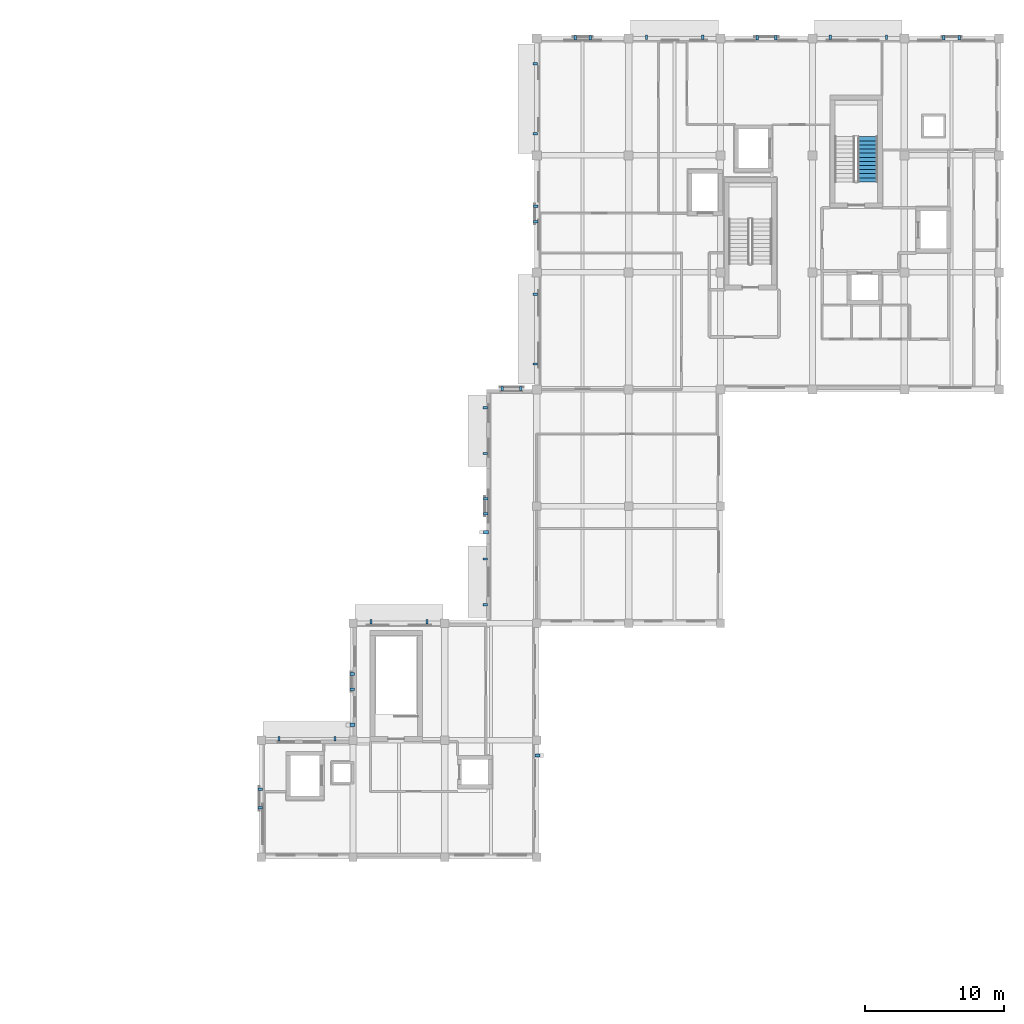
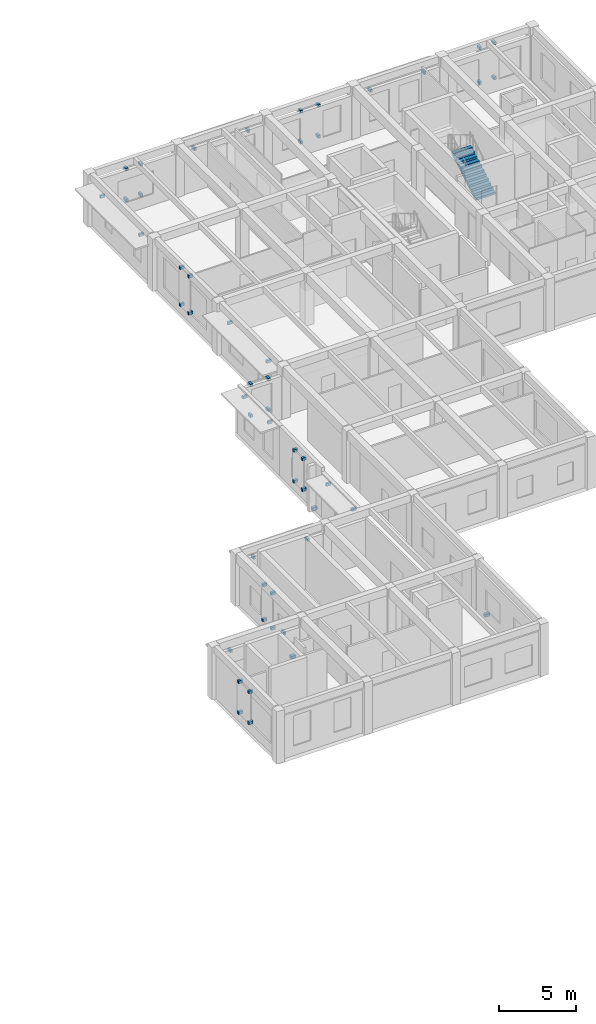
# One storey, part 11 of 14: 51 discrete accessories, 1 stair flight, 1 element without a shape of its own.
"""IFC4 building model written with IfcOpenShell, lengths in metres."""

from ifc_helpers import new_model, si_unit, direction, frame, origin, origin_2d, place, context, subcontext, project, spatial, polyline, rectangle, outline, extrude, material, type_object, element, aggregate, save


model = new_model("IFC4")

# Units and contexts
model_context = context("Model", 3, precision=1e-05, world=origin(), true_north=direction((0.0, 1.0)))
body_context = subcontext(model_context, "Body", "Model", "MODEL_VIEW")
ifc_project = project(units=[si_unit("LENGTHUNIT", "METRE"), si_unit("AREAUNIT", "SQUARE_METRE"), si_unit("VOLUMEUNIT", "CUBIC_METRE"), si_unit("PLANEANGLEUNIT", "RADIAN"), si_unit("MASSUNIT", "GRAM", prefix="KILO")], contexts=[model_context])

# Site, building, storey
site_placement = place(None, origin())
site = spatial("IfcSite", under=ifc_project, at=site_placement, CompositionType="ELEMENT")
building_placement = place(site_placement, origin())
building = spatial("IfcBuilding", under=site, at=building_placement, Name="Kolvaren Faculty of Natural Sciences", CompositionType="ELEMENT")
storey_placement = place(building_placement, frame((0.0, 0.0, 28.5)))
storey = spatial("IfcBuildingStorey", under=building, at=storey_placement, Name="L06", CompositionType="ELEMENT", Elevation=28.5)

# Stair, stair flight
ifc_material_1 = material(Name="Concrete C35/45", Category="concrete")
stair_type = type_object("IfcStairType", Name="DoglegStair_H4200", PredefinedType="HALF_TURN_STAIR", material=ifc_material_1)
stair_placement = place(storey_placement, origin())
stair = element("IfcStair", 1, at=stair_placement, inside=storey, type_object=stair_type, Name="L06 Protected exit stair ST-1", PredefinedType="HALF_TURN_STAIR")
stair_flight_type = type_object("IfcStairFlightType", Name="StairFlight_R1750", PredefinedType="STRAIGHT", material=ifc_material_1)
stair_flight_placement = place(storey_placement, frame((162.574951171875, 73.89990234375, 0.0), z_axis=(0.0, 0.0, 1.0), x_axis=(0.0, 1.0, 0.0)))
stair_flight = element("IfcStairFlight", 2, at=stair_flight_placement, type_object=stair_flight_type, Name="ST-1 flight 1", NumberOfRisers=12, NumberOfTreads=11, PredefinedType="STRAIGHT", RiserHeight=0.175, TreadLength=0.295, context=body_context, shape_type="SweptSolid", body=[
    extrude(outline(polyline([(0.0, 0.0), (0.0, 0.175048828125), (0.294921875, 0.175048828125), (0.294921875, 0.35009765625), (0.590087890625, 0.35009765625), (0.590087890625, 0.52490234375), (0.885009765625, 0.52490234375), (0.885009765625, 0.699951171875), (1.179931640625, 0.699951171875), (1.179931640625, 0.875), (1.47509765625, 0.875), (1.47509765625, 1.050048828125), (1.77001953125, 1.050048828125), (1.77001953125, 1.22509765625), (2.06494140625, 1.22509765625), (2.06494140625, 1.39990234375), (2.360107421875, 1.39990234375), (2.360107421875, 1.574951171875), (2.655029296875, 1.574951171875), (2.655029296875, 1.75), (2.949951171875, 1.75), (2.949951171875, 1.925048828125), (3.2451171875, 1.925048828125), (3.2451171875, 2.10009765625), (3.2451171875, 1.750732421875), (0.293701171875, 0.0), (0.0, 0.0)])), frame((0.0, 0.72509765625, 0.0), z_axis=(0.0, -1.0, 0.0), x_axis=(1.0, 0.0, 0.0)), (0.0, 0.0, 1.0), 1.449951171875),
])
aggregate(stair, [stair_flight])

# Discrete accessories
ifc_material_2 = material(Name="Structural steel EN 10025-2 S355J2", Category="steel")
discrete_accessory_type = type_object("IfcDiscreteAccessoryType", Name="FacadeSupportBracket_260", PredefinedType="BRACKET", material=ifc_material_2)
for number, where, z_axis, x_axis, name in (
    (3, (118.93994140625, 28.93505859375, 0.81982421875), (0.0, 0.0, 1.0), (0.0, 1.0, 0.0), "L06 jali screen wall bracket"),
    (4, (118.93994140625, 30.264892578125, 0.81982421875), (0.0, 0.0, 1.0), (0.0, 1.0, 0.0), "L06 jali screen wall bracket"),
    (5, (118.93994140625, 28.93505859375, 3.26025390625), (0.0, 0.0, 1.0), (0.0, 1.0, 0.0), "L06 jali screen wall bracket"),
    (6, (118.93994140625, 30.264892578125, 3.26025390625), (0.0, 0.0, 1.0), (0.0, 1.0, 0.0), "L06 jali screen wall bracket"),
):
    element("IfcDiscreteAccessory", number, at=place(storey_placement, frame(where, z_axis=z_axis, x_axis=x_axis)), inside=storey, type_object=discrete_accessory_type, Name=name, PredefinedType="BRACKET", context=body_context, shape_type="SweptSolid", body=[
        extrude(rectangle(XDim=0.179931640625, YDim=0.320068359375, at=origin_2d()), origin(), (0.0, 0.0, 1.0), 0.219970703125),
    ])
for number, where, z_axis, x_axis, name in (
    (7, (120.283935546875, 33.89990234375, 3.06494140625), (0.0, 0.0, 1.0), (1.0, 0.0, 0.0), "L06 chhajja hood steel bracket"),
    (8, (124.31591796875, 33.89990234375, 3.06494140625), (0.0, 0.0, 1.0), (1.0, 0.0, 0.0), "L06 chhajja hood steel bracket"),
):
    element("IfcDiscreteAccessory", number, at=place(storey_placement, frame(where, z_axis=z_axis, x_axis=x_axis)), inside=storey, type_object=discrete_accessory_type, Name=name, PredefinedType="BRACKET", context=body_context, shape_type="SweptSolid", body=[
        extrude(rectangle(XDim=0.159912109375, YDim=0.340087890625, at=origin_2d()), origin(), (0.0, 0.0, 1.0), 0.219970703125),
    ])
discrete_accessory_1_placement = place(storey_placement, frame((125.56005859375, 34.89990234375, 0.10986328125), z_axis=(0.0, 0.0, 1.0), x_axis=(0.0, 1.0, 0.0)))
element("IfcDiscreteAccessory", 9, at=discrete_accessory_1_placement, inside=storey, type_object=discrete_accessory_type, Name="L06 facade relief pier anchor bracket 19", PredefinedType="BRACKET", context=body_context, shape_type="SweptSolid", body=[
    extrude(rectangle(XDim=0.239990234375, YDim=0.360107421875, at=origin_2d()), origin(), (0.0, 0.0, 1.0), 0.219970703125),
])
for number, where, z_axis, x_axis, name in (
    (10, (125.5400390625, 37.448974609375, 0.81982421875), (0.0, 0.0, 1.0), (0.0, 1.0, 0.0), "L06 jali screen wall bracket"),
    (11, (125.5400390625, 38.551025390625, 0.81982421875), (0.0, 0.0, 1.0), (0.0, 1.0, 0.0), "L06 jali screen wall bracket"),
    (12, (125.5400390625, 37.448974609375, 3.59521484375), (0.0, 0.0, 1.0), (0.0, 1.0, 0.0), "L06 jali screen wall bracket"),
    (13, (125.5400390625, 38.551025390625, 3.59521484375), (0.0, 0.0, 1.0), (0.0, 1.0, 0.0), "L06 jali screen wall bracket"),
):
    element("IfcDiscreteAccessory", number, at=place(storey_placement, frame(where, z_axis=z_axis, x_axis=x_axis)), inside=storey, type_object=discrete_accessory_type, Name=name, PredefinedType="BRACKET", context=body_context, shape_type="SweptSolid", body=[
        extrude(rectangle(XDim=0.179931640625, YDim=0.320068359375, at=origin_2d()), origin(), (0.0, 0.0, 1.0), 0.219970703125),
    ])
for number, where, z_axis, x_axis, name in (
    (14, (126.884033203125, 42.300048828125, 3.06494140625), (0.0, 0.0, 1.0), (1.0, 0.0, 0.0), "L06 chhajja hood steel bracket"),
    (15, (130.916015625, 42.300048828125, 3.06494140625), (0.0, 0.0, 1.0), (1.0, 0.0, 0.0), "L06 chhajja hood steel bracket"),
    (16, (135.10009765625, 43.52392578125, 3.21484375), (0.0, 0.0, 1.0), (0.0, 1.0, 0.0), "L06 chhajja hood steel bracket"),
    (17, (135.10009765625, 46.809326171875, 3.21484375), (0.0, 0.0, 1.0), (0.0, 1.0, 0.0), "L06 chhajja hood steel bracket"),
):
    element("IfcDiscreteAccessory", number, at=place(storey_placement, frame(where, z_axis=z_axis, x_axis=x_axis)), inside=storey, type_object=discrete_accessory_type, Name=name, PredefinedType="BRACKET", context=body_context, shape_type="SweptSolid", body=[
        extrude(rectangle(XDim=0.159912109375, YDim=0.340087890625, at=origin_2d()), origin(), (0.0, 0.0, 1.0), 0.219970703125),
    ])
discrete_accessory_2_placement = place(storey_placement, frame((135.159912109375, 48.7333984375, 0.10986328125), z_axis=(0.0, 0.0, 1.0), x_axis=(0.0, 1.0, 0.0)))
element("IfcDiscreteAccessory", 18, at=discrete_accessory_2_placement, inside=storey, type_object=discrete_accessory_type, Name="L06 facade relief pier anchor bracket 20", PredefinedType="BRACKET", context=body_context, shape_type="SweptSolid", body=[
    extrude(rectangle(XDim=0.239990234375, YDim=0.360107421875, at=origin_2d()), origin(), (0.0, 0.0, 1.0), 0.219970703125),
])
for number, where, z_axis, x_axis, name in (
    (19, (135.139892578125, 50.049072265625, 0.81982421875), (0.0, 0.0, 1.0), (0.0, 1.0, 0.0), "L06 jali screen wall bracket"),
    (20, (135.139892578125, 51.15087890625, 0.81982421875), (0.0, 0.0, 1.0), (0.0, 1.0, 0.0), "L06 jali screen wall bracket"),
    (21, (135.139892578125, 50.049072265625, 3.26025390625), (0.0, 0.0, 1.0), (0.0, 1.0, 0.0), "L06 jali screen wall bracket"),
    (22, (135.139892578125, 51.15087890625, 3.26025390625), (0.0, 0.0, 1.0), (0.0, 1.0, 0.0), "L06 jali screen wall bracket"),
):
    element("IfcDiscreteAccessory", number, at=place(storey_placement, frame(where, z_axis=z_axis, x_axis=x_axis)), inside=storey, type_object=discrete_accessory_type, Name=name, PredefinedType="BRACKET", context=body_context, shape_type="SweptSolid", body=[
        extrude(rectangle(XDim=0.179931640625, YDim=0.320068359375, at=origin_2d()), origin(), (0.0, 0.0, 1.0), 0.219970703125),
    ])
for number, where, z_axis, x_axis, name in (
    (23, (135.10009765625, 54.390625, 3.5498046875), (0.0, 0.0, 1.0), (0.0, 1.0, 0.0), "L06 chhajja hood steel bracket"),
    (24, (135.10009765625, 57.676025390625, 3.5498046875), (0.0, 0.0, 1.0), (0.0, 1.0, 0.0), "L06 chhajja hood steel bracket"),
):
    element("IfcDiscreteAccessory", number, at=place(storey_placement, frame(where, z_axis=z_axis, x_axis=x_axis)), inside=storey, type_object=discrete_accessory_type, Name=name, PredefinedType="BRACKET", context=body_context, shape_type="SweptSolid", body=[
        extrude(rectangle(XDim=0.159912109375, YDim=0.340087890625, at=origin_2d()), origin(), (0.0, 0.0, 1.0), 0.219970703125),
    ])
for number, where, z_axis, x_axis, name in (
    (25, (136.3349609375, 59.06005859375, 0.81982421875), (0.0, 0.0, 1.0), (1.0, 0.0, 0.0), "L06 jali screen wall bracket"),
    (26, (137.6650390625, 59.06005859375, 0.81982421875), (0.0, 0.0, 1.0), (1.0, 0.0, 0.0), "L06 jali screen wall bracket"),
    (27, (136.3349609375, 59.06005859375, 3.26025390625), (0.0, 0.0, 1.0), (1.0, 0.0, 0.0), "L06 jali screen wall bracket"),
    (28, (137.6650390625, 59.06005859375, 3.26025390625), (0.0, 0.0, 1.0), (1.0, 0.0, 0.0), "L06 jali screen wall bracket"),
):
    element("IfcDiscreteAccessory", number, at=place(storey_placement, frame(where, z_axis=z_axis, x_axis=x_axis)), inside=storey, type_object=discrete_accessory_type, Name=name, PredefinedType="BRACKET", context=body_context, shape_type="SweptSolid", body=[
        extrude(rectangle(XDim=0.179931640625, YDim=0.320068359375, at=origin_2d()), origin(), (0.0, 0.0, 1.0), 0.219970703125),
    ])
for number, where, z_axis, x_axis, name in (
    (29, (138.699951171875, 60.81298828125, 3.21484375), (0.0, 0.0, 1.0), (0.0, 1.0, 0.0), "L06 chhajja hood steel bracket"),
    (30, (138.699951171875, 65.8369140625, 3.21484375), (0.0, 0.0, 1.0), (0.0, 1.0, 0.0), "L06 chhajja hood steel bracket"),
):
    element("IfcDiscreteAccessory", number, at=place(storey_placement, frame(where, z_axis=z_axis, x_axis=x_axis)), inside=storey, type_object=discrete_accessory_type, Name=name, PredefinedType="BRACKET", context=body_context, shape_type="SweptSolid", body=[
        extrude(rectangle(XDim=0.159912109375, YDim=0.340087890625, at=origin_2d()), origin(), (0.0, 0.0, 1.0), 0.219970703125),
    ])
for number, where, z_axis, x_axis, name in (
    (31, (138.739990234375, 71.049072265625, 0.81982421875), (0.0, 0.0, 1.0), (0.0, 1.0, 0.0), "L06 jali screen wall bracket"),
    (32, (138.739990234375, 72.15087890625, 0.81982421875), (0.0, 0.0, 1.0), (0.0, 1.0, 0.0), "L06 jali screen wall bracket"),
    (33, (138.739990234375, 71.049072265625, 3.7451171875), (0.0, 0.0, 1.0), (0.0, 1.0, 0.0), "L06 jali screen wall bracket"),
    (34, (138.739990234375, 72.15087890625, 3.7451171875), (0.0, 0.0, 1.0), (0.0, 1.0, 0.0), "L06 jali screen wall bracket"),
):
    element("IfcDiscreteAccessory", number, at=place(storey_placement, frame(where, z_axis=z_axis, x_axis=x_axis)), inside=storey, type_object=discrete_accessory_type, Name=name, PredefinedType="BRACKET", context=body_context, shape_type="SweptSolid", body=[
        extrude(rectangle(XDim=0.179931640625, YDim=0.320068359375, at=origin_2d()), origin(), (0.0, 0.0, 1.0), 0.219970703125),
    ])
for number, where, z_axis, x_axis, name in (
    (35, (138.699951171875, 77.363037109375, 3.21484375), (0.0, 0.0, 1.0), (0.0, 1.0, 0.0), "L06 chhajja hood steel bracket"),
    (36, (138.699951171875, 82.386962890625, 3.21484375), (0.0, 0.0, 1.0), (0.0, 1.0, 0.0), "L06 chhajja hood steel bracket"),
):
    element("IfcDiscreteAccessory", number, at=place(storey_placement, frame(where, z_axis=z_axis, x_axis=x_axis)), inside=storey, type_object=discrete_accessory_type, Name=name, PredefinedType="BRACKET", context=body_context, shape_type="SweptSolid", body=[
        extrude(rectangle(XDim=0.159912109375, YDim=0.340087890625, at=origin_2d()), origin(), (0.0, 0.0, 1.0), 0.219970703125),
    ])
for number, where, z_axis, x_axis, name in (
    (37, (141.549072265625, 84.260009765625, 0.81982421875), (0.0, 0.0, 1.0), (1.0, 0.0, 0.0), "L06 jali screen wall bracket"),
    (38, (142.65087890625, 84.260009765625, 0.81982421875), (0.0, 0.0, 1.0), (1.0, 0.0, 0.0), "L06 jali screen wall bracket"),
    (39, (141.549072265625, 84.260009765625, 3.26025390625), (0.0, 0.0, 1.0), (1.0, 0.0, 0.0), "L06 jali screen wall bracket"),
    (40, (142.65087890625, 84.260009765625, 3.26025390625), (0.0, 0.0, 1.0), (1.0, 0.0, 0.0), "L06 jali screen wall bracket"),
):
    element("IfcDiscreteAccessory", number, at=place(storey_placement, frame(where, z_axis=z_axis, x_axis=x_axis)), inside=storey, type_object=discrete_accessory_type, Name=name, PredefinedType="BRACKET", context=body_context, shape_type="SweptSolid", body=[
        extrude(rectangle(XDim=0.179931640625, YDim=0.320068359375, at=origin_2d()), origin(), (0.0, 0.0, 1.0), 0.219970703125),
    ])
for number, where, z_axis, x_axis, name in (
    (41, (146.68408203125, 84.300048828125, 3.06494140625), (0.0, 0.0, 1.0), (1.0, 0.0, 0.0), "L06 chhajja hood steel bracket"),
    (42, (150.716064453125, 84.300048828125, 3.06494140625), (0.0, 0.0, 1.0), (1.0, 0.0, 0.0), "L06 chhajja hood steel bracket"),
):
    element("IfcDiscreteAccessory", number, at=place(storey_placement, frame(where, z_axis=z_axis, x_axis=x_axis)), inside=storey, type_object=discrete_accessory_type, Name=name, PredefinedType="BRACKET", context=body_context, shape_type="SweptSolid", body=[
        extrude(rectangle(XDim=0.159912109375, YDim=0.340087890625, at=origin_2d()), origin(), (0.0, 0.0, 1.0), 0.219970703125),
    ])
for number, where, z_axis, x_axis, name in (
    (43, (154.635009765625, 84.260009765625, 0.81982421875), (0.0, 0.0, 1.0), (1.0, 0.0, 0.0), "L06 jali screen wall bracket"),
    (44, (155.965087890625, 84.260009765625, 0.81982421875), (0.0, 0.0, 1.0), (1.0, 0.0, 0.0), "L06 jali screen wall bracket"),
    (45, (154.635009765625, 84.260009765625, 3.26025390625), (0.0, 0.0, 1.0), (1.0, 0.0, 0.0), "L06 jali screen wall bracket"),
    (46, (155.965087890625, 84.260009765625, 3.26025390625), (0.0, 0.0, 1.0), (1.0, 0.0, 0.0), "L06 jali screen wall bracket"),
):
    element("IfcDiscreteAccessory", number, at=place(storey_placement, frame(where, z_axis=z_axis, x_axis=x_axis)), inside=storey, type_object=discrete_accessory_type, Name=name, PredefinedType="BRACKET", context=body_context, shape_type="SweptSolid", body=[
        extrude(rectangle(XDim=0.179931640625, YDim=0.320068359375, at=origin_2d()), origin(), (0.0, 0.0, 1.0), 0.219970703125),
    ])
for number, where, z_axis, x_axis, name in (
    (47, (159.884033203125, 84.300048828125, 3.06494140625), (0.0, 0.0, 1.0), (1.0, 0.0, 0.0), "L06 chhajja hood steel bracket"),
    (48, (163.916015625, 84.300048828125, 3.06494140625), (0.0, 0.0, 1.0), (1.0, 0.0, 0.0), "L06 chhajja hood steel bracket"),
):
    element("IfcDiscreteAccessory", number, at=place(storey_placement, frame(where, z_axis=z_axis, x_axis=x_axis)), inside=storey, type_object=discrete_accessory_type, Name=name, PredefinedType="BRACKET", context=body_context, shape_type="SweptSolid", body=[
        extrude(rectangle(XDim=0.159912109375, YDim=0.340087890625, at=origin_2d()), origin(), (0.0, 0.0, 1.0), 0.219970703125),
    ])
for number, where, z_axis, x_axis, name in (
    (49, (168.049072265625, 84.260009765625, 0.81982421875), (0.0, 0.0, 1.0), (1.0, 0.0, 0.0), "L06 jali screen wall bracket"),
    (50, (169.15087890625, 84.260009765625, 0.81982421875), (0.0, 0.0, 1.0), (1.0, 0.0, 0.0), "L06 jali screen wall bracket"),
    (51, (168.049072265625, 84.260009765625, 3.59521484375), (0.0, 0.0, 1.0), (1.0, 0.0, 0.0), "L06 jali screen wall bracket"),
    (52, (169.15087890625, 84.260009765625, 3.59521484375), (0.0, 0.0, 1.0), (1.0, 0.0, 0.0), "L06 jali screen wall bracket"),
):
    element("IfcDiscreteAccessory", number, at=place(storey_placement, frame(where, z_axis=z_axis, x_axis=x_axis)), inside=storey, type_object=discrete_accessory_type, Name=name, PredefinedType="BRACKET", context=body_context, shape_type="SweptSolid", body=[
        extrude(rectangle(XDim=0.179931640625, YDim=0.320068359375, at=origin_2d()), origin(), (0.0, 0.0, 1.0), 0.219970703125),
    ])
discrete_accessory_3_placement = place(storey_placement, frame((138.840087890625, 32.699951171875, 0.10986328125), z_axis=(0.0, 0.0, 1.0), x_axis=(0.0, -1.0, 0.0)))
element("IfcDiscreteAccessory", 53, at=discrete_accessory_3_placement, inside=storey, type_object=discrete_accessory_type, Name="L06 facade relief pier anchor bracket 21", PredefinedType="BRACKET", context=body_context, shape_type="SweptSolid", body=[
    extrude(rectangle(XDim=0.239990234375, YDim=0.360107421875, at=origin_2d()), origin(), (0.0, 0.0, 1.0), 0.219970703125),
])

save(model, "model.ifc")
